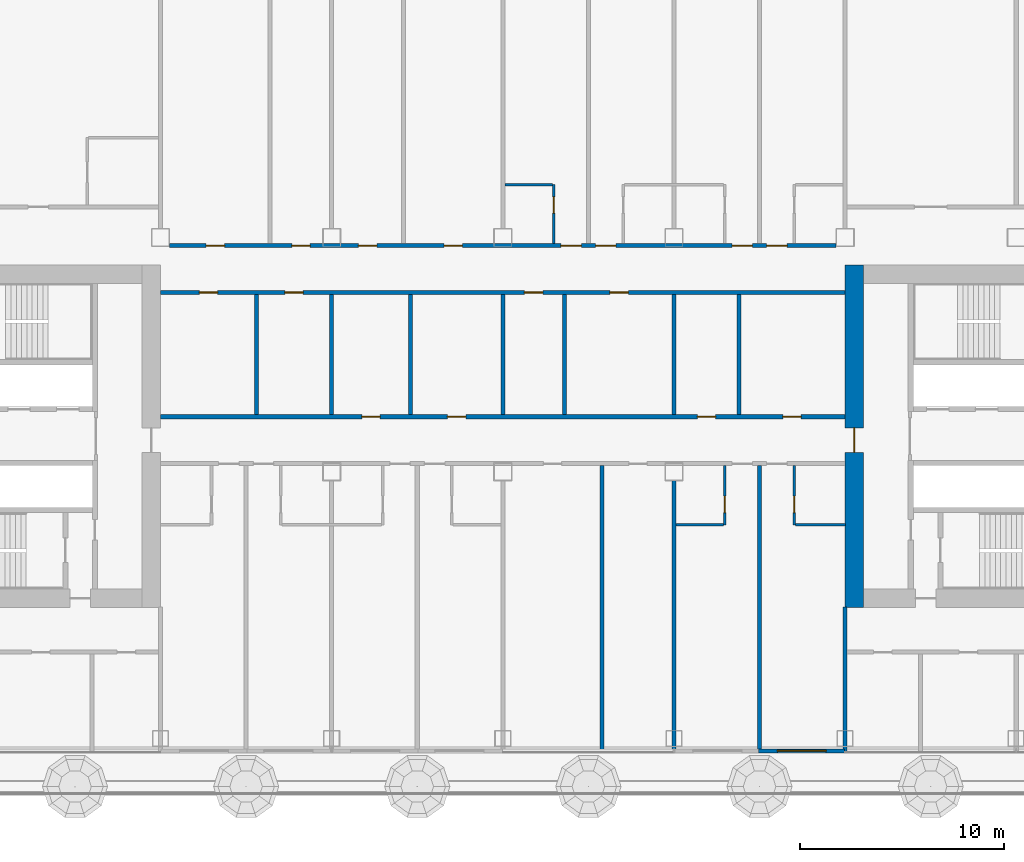
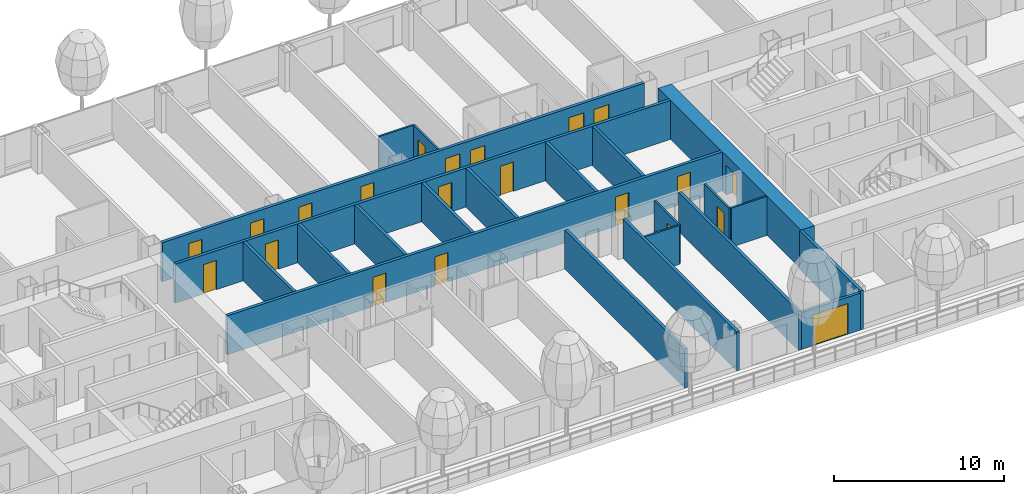
# One storey, part 16 of 34: 22 walls, 21 doors, 21 openings, 1 element without a shape of its own.
"""IFC4 building model written with IfcOpenShell, lengths in metres."""

from ifc_helpers import new_model, si_unit, direction, frame, frame_2d, origin, place, context, subcontext, project, spatial, rectangle, extrude, material, layer, layer_set, type_object, element, fill, aggregate, save


model = new_model("IFC4")

# Units and contexts
model_context = context("Model", 3, precision=1e-05, world=origin(), true_north=direction((0.0, 1.0)))
body_context = subcontext(model_context, "Body", "Model", "MODEL_VIEW")
ifc_project = project(units=[si_unit("LENGTHUNIT", "METRE"), si_unit("AREAUNIT", "SQUARE_METRE"), si_unit("VOLUMEUNIT", "CUBIC_METRE"), si_unit("PLANEANGLEUNIT", "RADIAN"), si_unit("MASSUNIT", "GRAM", prefix="KILO")], contexts=[model_context])

# Site, building, storey
site_placement = place(None, origin())
site = spatial("IfcSite", under=ifc_project, at=site_placement, CompositionType="ELEMENT")
building_placement = place(site_placement, origin())
building = spatial("IfcBuilding", under=site, at=building_placement, Name="Hakoniwa Tower and Hamabe Station Hall", CompositionType="ELEMENT")
storey_placement = place(building_placement, frame((0.0, 0.0, 94.60009765625)))
storey = spatial("IfcBuildingStorey", under=building, at=storey_placement, Name="L26", CompositionType="ELEMENT", Elevation=94.60009765625)

# Walls
ifc_material_1 = material(Name="Gypsum board partition", Category="gypsum")
ifc_layer_1 = layer(ifc_material_1, 0.125)
ifc_layer_set_1 = layer_set([ifc_layer_1], Name="Bathroom Partition 125")
wall_type_1 = type_object("IfcWallType", Name="Bathroom Partition 125", PredefinedType="PARTITIONING", material=ifc_layer_set_1)
wall_1_placement = place(storey_placement, frame((8.5, -4.35009765625, 0.0), z_axis=(0.0, 0.0, 1.0), x_axis=(1.0, 0.0, 0.0)))
element("IfcWall", 1, at=wall_1_placement, inside=storey, type_object=wall_type_1, Name="GW-L26-010", PredefinedType="PARTITIONING", context=body_context, shape_type="SweptSolid", body=[
    extrude(rectangle(XDim=2.33740234375, YDim=0.125, at=frame_2d((1.168701171875, 0.0))), origin(), (0.0, 0.0, 1.0), 2.7998046875),
])
wall_2_placement = place(storey_placement, frame((14.362548828125, -4.35009765625, 0.0), z_axis=(0.0, 0.0, 1.0), x_axis=(1.0, 0.0, 0.0)))
element("IfcWall", 2, at=wall_2_placement, inside=storey, type_object=wall_type_1, Name="GW-L26-011", PredefinedType="PARTITIONING", context=body_context, shape_type="SweptSolid", body=[
    extrude(rectangle(XDim=2.447509765625, YDim=0.125, at=frame_2d((1.2236328125, 0.0))), origin(), (0.0, 0.0, 1.0), 2.7998046875),
])
wall_3_placement = place(storey_placement, frame((0.10009765625, 12.35009765625, 0.0), z_axis=(0.0, 0.0, 1.0), x_axis=(1.0, 0.0, 0.0)))
element("IfcWall", 3, at=wall_3_placement, inside=storey, type_object=wall_type_1, Name="GW-L26-024", PredefinedType="PARTITIONING", context=body_context, shape_type="SweptSolid", body=[
    extrude(rectangle(XDim=2.33740234375, YDim=0.125, at=frame_2d((1.168701171875, 0.0))), origin(), (0.0, 0.0, 1.0), 2.7998046875),
])

# Wall, opening, door
wall_4_placement = place(storey_placement, frame((2.5, 9.449951171875, 0.0), z_axis=(0.0, 0.0, 1.0), x_axis=(0.0, 1.0, 0.0)))
wall_4 = element("IfcWall", 4, at=wall_4_placement, inside=storey, type_object=wall_type_1, Name="GW-L26-068", PredefinedType="PARTITIONING", context=body_context, shape_type="SweptSolid", body=[
    extrude(rectangle(XDim=2.900146484375, YDim=0.125, at=frame_2d((1.4501953125, 0.0))), origin(), (0.0, 0.0, 1.0), 2.7998046875),
])
opening_1_placement = place(wall_4_placement, frame((1.5, 0.0, 0.0)))
opening_1 = element("IfcOpeningElement", 5, at=opening_1_placement, cuts=wall_4, Name="Opening GD-G2B1-65", PredefinedType="OPENING", context=body_context, shape_type="SweptSolid", body=[
    extrude(rectangle(XDim=0.800048828125, YDim=2.10009765625, at=frame_2d((0.39990234375, 1.050048828125))), frame((0.0, 0.072509765625, 0.0), z_axis=(0.0, -1.0, 0.0), x_axis=(1.0, 0.0, 0.0)), (0.0, 0.0, 1.0), 0.14501953125),
])
ifc_material_2 = material(Name="Timber door leaf", Category="wood")
door_type_1 = type_object("IfcDoorType", Name="Bathroom Door 800", OperationType="SINGLE_SWING_LEFT", PredefinedType="DOOR", material=ifc_material_2)
door_1_placement = place(opening_1_placement, origin())
door_1 = element("IfcDoor", 6, at=door_1_placement, inside=storey, type_object=door_type_1, Name="Door GD-G2B1-65", OperationType="SINGLE_SWING_LEFT", OverallHeight=2.10009765625, OverallWidth=0.800048828125, PredefinedType="DOOR", context=body_context, shape_type="SweptSolid", body=[
    extrude(rectangle(XDim=0.800048828125, YDim=2.10009765625, at=frame_2d((0.39990234375, 1.050048828125))), frame((0.0, 0.02490234375, 0.0), z_axis=(0.0, -1.0, 0.0), x_axis=(1.0, 0.0, 0.0)), (0.0, 0.0, 1.0), 0.050048828125),
])
fill(opening_1, door_1)

wall_5_placement = place(storey_placement, frame((10.89990234375, -4.35009765625, 0.0), z_axis=(0.0, 0.0, 1.0), x_axis=(0.0, 1.0, 0.0)))
wall_5 = element("IfcWall", 7, at=wall_5_placement, inside=storey, type_object=wall_type_1, Name="GW-L26-076", PredefinedType="PARTITIONING", context=body_context, shape_type="SweptSolid", body=[
    extrude(rectangle(XDim=2.900146484375, YDim=0.125, at=frame_2d((1.4501953125, 0.0))), origin(), (0.0, 0.0, 1.0), 2.7998046875),
])
opening_2_placement = place(wall_5_placement, frame((0.60009765625, 0.0, 0.0)))
opening_2 = element("IfcOpeningElement", 8, at=opening_2_placement, cuts=wall_5, Name="Opening GD-G2B1-67", PredefinedType="OPENING", context=body_context, shape_type="SweptSolid", body=[
    extrude(rectangle(XDim=0.800048828125, YDim=2.10009765625, at=frame_2d((0.39990234375, 1.050048828125))), frame((0.0, 0.072509765625, 0.0), z_axis=(0.0, -1.0, 0.0), x_axis=(1.0, 0.0, 0.0)), (0.0, 0.0, 1.0), 0.14501953125),
])
door_2_placement = place(opening_2_placement, origin())
door_2 = element("IfcDoor", 9, at=door_2_placement, inside=storey, type_object=door_type_1, Name="Door GD-G2B1-67", OperationType="SINGLE_SWING_RIGHT", OverallHeight=2.10009765625, OverallWidth=0.800048828125, PredefinedType="DOOR", context=body_context, shape_type="SweptSolid", body=[
    extrude(rectangle(XDim=0.800048828125, YDim=2.10009765625, at=frame_2d((0.39990234375, 1.050048828125))), frame((0.0, 0.02490234375, 0.0), z_axis=(0.0, -1.0, 0.0), x_axis=(1.0, 0.0, 0.0)), (0.0, 0.0, 1.0), 0.050048828125),
])
fill(opening_2, door_2)

wall_6_placement = place(storey_placement, frame((14.300048828125, -4.35009765625, 0.0), z_axis=(0.0, 0.0, 1.0), x_axis=(0.0, 1.0, 0.0)))
wall_6 = element("IfcWall", 10, at=wall_6_placement, inside=storey, type_object=wall_type_1, Name="GW-L26-081", PredefinedType="PARTITIONING", context=body_context, shape_type="SweptSolid", body=[
    extrude(rectangle(XDim=2.900146484375, YDim=0.125, at=frame_2d((1.4501953125, 0.0))), origin(), (0.0, 0.0, 1.0), 2.7998046875),
])
opening_3_placement = place(wall_6_placement, frame((0.60009765625, 0.0, 0.0)))
opening_3 = element("IfcOpeningElement", 11, at=opening_3_placement, cuts=wall_6, Name="Opening GD-G2B1-69", PredefinedType="OPENING", context=body_context, shape_type="SweptSolid", body=[
    extrude(rectangle(XDim=0.800048828125, YDim=2.10009765625, at=frame_2d((0.39990234375, 1.050048828125))), frame((0.0, 0.072509765625, 0.0), z_axis=(0.0, -1.0, 0.0), x_axis=(1.0, 0.0, 0.0)), (0.0, 0.0, 1.0), 0.14501953125),
])
door_3_placement = place(opening_3_placement, origin())
door_3 = element("IfcDoor", 12, at=door_3_placement, inside=storey, type_object=door_type_1, Name="Door GD-G2B1-69", OperationType="SINGLE_SWING_LEFT", OverallHeight=2.10009765625, OverallWidth=0.800048828125, PredefinedType="DOOR", context=body_context, shape_type="SweptSolid", body=[
    extrude(rectangle(XDim=0.800048828125, YDim=2.10009765625, at=frame_2d((0.39990234375, 1.050048828125))), frame((0.0, 0.02490234375, 0.0), z_axis=(0.0, -1.0, 0.0), x_axis=(1.0, 0.0, 0.0)), (0.0, 0.0, 1.0), 0.050048828125),
])
fill(opening_3, door_3)

ifc_material_3 = material(Name="Concrete C72", Category="concrete")
ifc_layer_2 = layer(ifc_material_3, 0.89990234375)
ifc_layer_set_2 = layer_set([ifc_layer_2], Name="CORE WALL 900 C72")
wall_type_2 = type_object("IfcWallType", Name="CORE WALL 900 C72", PredefinedType="SHEAR", material=ifc_layer_set_2)
wall_7_placement = place(storey_placement, frame((17.25, -8.39990234375, 0.0), z_axis=(0.0, 0.0, 1.0), x_axis=(0.0, 1.0, 0.0)))
wall_7 = element("IfcWall", 13, at=wall_7_placement, inside=storey, type_object=wall_type_2, Name="Core wall INNER east", PredefinedType="SHEAR", context=body_context, shape_type="SweptSolid", body=[
    extrude(rectangle(XDim=16.7998046875, YDim=0.89990234375, at=frame_2d((8.39990234375, 0.0))), origin(), (0.0, 0.0, 1.0), 2.7998046875),
])
opening_4_placement = place(wall_7_placement, frame((7.60009765625, 0.0, 0.0)))
opening_4 = element("IfcOpeningElement", 14, at=opening_4_placement, cuts=wall_7, Name="Opening CD-E-IN1-12", PredefinedType="OPENING", context=body_context, shape_type="SweptSolid", body=[
    extrude(rectangle(XDim=1.199951171875, YDim=2.10009765625, at=frame_2d((0.60009765625, 1.050048828125))), frame((0.0, 0.4599609375, 0.0), z_axis=(0.0, -1.0, 0.0), x_axis=(1.0, 0.0, 0.0)), (0.0, 0.0, 1.0), 0.919921875),
])
ifc_material_4 = material(Name="Steel fire door", Category="steel")
door_type_2 = type_object("IfcDoorType", Name="CORE DOOR 1200 FD60", OperationType="DOUBLE_DOOR_SINGLE_SWING", PredefinedType="DOOR", material=ifc_material_4)
door_4_placement = place(opening_4_placement, origin())
door_4 = element("IfcDoor", 15, at=door_4_placement, inside=storey, type_object=door_type_2, Name="Lift lobby door", OperationType="DOUBLE_DOOR_SINGLE_SWING", OverallHeight=2.10009765625, OverallWidth=1.199951171875, PredefinedType="DOOR", context=body_context, shape_type="SweptSolid", body=[
    extrude(rectangle(XDim=1.199951171875, YDim=2.10009765625, at=frame_2d((0.60009765625, 1.050048828125))), frame((0.0, 0.02490234375, 0.0), z_axis=(0.0, -1.0, 0.0), x_axis=(1.0, 0.0, 0.0)), (0.0, 0.0, 1.0), 0.050048828125),
])
fill(opening_4, door_4)

# Wall, openings, doors
ifc_material_5 = material(Name="Fire-rated gypsum board partition", Category="gypsum")
ifc_layer_3 = layer(ifc_material_5, 0.199951171875)
ifc_layer_set_3 = layer_set([ifc_layer_3], Name="Corridor Wall 200")
wall_type_3 = type_object("IfcWallType", Name="Corridor Wall 200", PredefinedType="PARTITIONING", material=ifc_layer_set_3)
wall_8_placement = place(storey_placement, frame((-16.800048828125, 0.949951171875, 0.0), z_axis=(0.0, 0.0, 1.0), x_axis=(1.0, 0.0, 0.0)))
wall_8 = element("IfcWall", 16, at=wall_8_placement, inside=storey, type_object=wall_type_3, Name="GW-L26-015", PredefinedType="PARTITIONING", context=body_context, shape_type="SweptSolid", body=[
    extrude(rectangle(XDim=33.60009765625, YDim=0.199951171875, at=frame_2d((16.800048828125, 0.0))), origin(), (0.0, 0.0, 1.0), 2.7998046875),
])
opening_5_placement = place(wall_8_placement, frame((9.8798828125, 0.0, 0.0)))
opening_5 = element("IfcOpeningElement", 17, at=opening_5_placement, cuts=wall_8, Name="Opening GD-G2B1-25", PredefinedType="OPENING", context=body_context, shape_type="SweptSolid", body=[
    extrude(rectangle(XDim=0.89990234375, YDim=2.10009765625, at=frame_2d((0.449951171875, 1.050048828125))), frame((0.0, 0.10986328125, 0.0), z_axis=(0.0, -1.0, 0.0), x_axis=(1.0, 0.0, 0.0)), (0.0, 0.0, 1.0), 0.219970703125),
])
opening_6_placement = place(wall_8_placement, frame((14.080078125, 0.0, 0.0)))
opening_6 = element("IfcOpeningElement", 18, at=opening_6_placement, cuts=wall_8, Name="Opening GD-G2B1-26", PredefinedType="OPENING", context=body_context, shape_type="SweptSolid", body=[
    extrude(rectangle(XDim=0.89990234375, YDim=2.10009765625, at=frame_2d((0.449951171875, 1.050048828125))), frame((0.0, 0.10986328125, 0.0), z_axis=(0.0, -1.0, 0.0), x_axis=(1.0, 0.0, 0.0)), (0.0, 0.0, 1.0), 0.219970703125),
])
opening_7_placement = place(wall_8_placement, frame((26.344970703125, 0.0, 0.0)))
opening_7 = element("IfcOpeningElement", 19, at=opening_7_placement, cuts=wall_8, Name="Opening GD-G2B1-27", PredefinedType="OPENING", context=body_context, shape_type="SweptSolid", body=[
    extrude(rectangle(XDim=0.89990234375, YDim=2.10009765625, at=frame_2d((0.449951171875, 1.050048828125))), frame((0.0, 0.10986328125, 0.0), z_axis=(0.0, -1.0, 0.0), x_axis=(1.0, 0.0, 0.0)), (0.0, 0.0, 1.0), 0.219970703125),
])
opening_8_placement = place(wall_8_placement, frame((30.544921875, 0.0, 0.0)))
opening_8 = element("IfcOpeningElement", 20, at=opening_8_placement, cuts=wall_8, Name="Opening GD-G2B1-28", PredefinedType="OPENING", context=body_context, shape_type="SweptSolid", body=[
    extrude(rectangle(XDim=0.89990234375, YDim=2.10009765625, at=frame_2d((0.449951171875, 1.050048828125))), frame((0.0, 0.10986328125, 0.0), z_axis=(0.0, -1.0, 0.0), x_axis=(1.0, 0.0, 0.0)), (0.0, 0.0, 1.0), 0.219970703125),
])
ifc_material_6 = material(Name="Timber door leaf", Category="wood")
door_type_3 = type_object("IfcDoorType", Name="Service Door 900", OperationType="SINGLE_SWING_LEFT", PredefinedType="DOOR", material=ifc_material_6)
door_5_placement = place(opening_5_placement, origin())
door_5 = element("IfcDoor", 21, at=door_5_placement, inside=storey, type_object=door_type_3, Name="Door GD-G2B1-25", OperationType="SINGLE_SWING_LEFT", OverallHeight=2.10009765625, OverallWidth=0.89990234375, PredefinedType="DOOR", context=body_context, shape_type="SweptSolid", body=[
    extrude(rectangle(XDim=0.89990234375, YDim=2.10009765625, at=frame_2d((0.449951171875, 1.050048828125))), frame((0.0, 0.02490234375, 0.0), z_axis=(0.0, -1.0, 0.0), x_axis=(1.0, 0.0, 0.0)), (0.0, 0.0, 1.0), 0.050048828125),
])
fill(opening_5, door_5)
door_6_placement = place(opening_6_placement, origin())
door_6 = element("IfcDoor", 22, at=door_6_placement, inside=storey, type_object=door_type_3, Name="Door GD-G2B1-26", OperationType="SINGLE_SWING_RIGHT", OverallHeight=2.10009765625, OverallWidth=0.89990234375, PredefinedType="DOOR", context=body_context, shape_type="SweptSolid", body=[
    extrude(rectangle(XDim=0.89990234375, YDim=2.10009765625, at=frame_2d((0.449951171875, 1.050048828125))), frame((0.0, 0.02490234375, 0.0), z_axis=(0.0, -1.0, 0.0), x_axis=(1.0, 0.0, 0.0)), (0.0, 0.0, 1.0), 0.050048828125),
])
fill(opening_6, door_6)
door_7_placement = place(opening_7_placement, origin())
door_7 = element("IfcDoor", 23, at=door_7_placement, inside=storey, type_object=door_type_3, Name="Door GD-G2B1-27", OperationType="SINGLE_SWING_LEFT", OverallHeight=2.10009765625, OverallWidth=0.89990234375, PredefinedType="DOOR", context=body_context, shape_type="SweptSolid", body=[
    extrude(rectangle(XDim=0.89990234375, YDim=2.10009765625, at=frame_2d((0.449951171875, 1.050048828125))), frame((0.0, 0.02490234375, 0.0), z_axis=(0.0, -1.0, 0.0), x_axis=(1.0, 0.0, 0.0)), (0.0, 0.0, 1.0), 0.050048828125),
])
fill(opening_7, door_7)
door_8_placement = place(opening_8_placement, origin())
door_8 = element("IfcDoor", 24, at=door_8_placement, inside=storey, type_object=door_type_3, Name="Door GD-G2B1-28", OperationType="SINGLE_SWING_RIGHT", OverallHeight=2.10009765625, OverallWidth=0.89990234375, PredefinedType="DOOR", context=body_context, shape_type="SweptSolid", body=[
    extrude(rectangle(XDim=0.89990234375, YDim=2.10009765625, at=frame_2d((0.449951171875, 1.050048828125))), frame((0.0, 0.02490234375, 0.0), z_axis=(0.0, -1.0, 0.0), x_axis=(1.0, 0.0, 0.0)), (0.0, 0.0, 1.0), 0.050048828125),
])
fill(opening_8, door_8)

wall_9_placement = place(storey_placement, frame((-16.800048828125, 7.050048828125, 0.0), z_axis=(0.0, 0.0, 1.0), x_axis=(1.0, 0.0, 0.0)))
wall_9 = element("IfcWall", 25, at=wall_9_placement, inside=storey, type_object=wall_type_3, Name="GW-L26-018", PredefinedType="PARTITIONING", context=body_context, shape_type="SweptSolid", body=[
    extrude(rectangle(XDim=33.60009765625, YDim=0.199951171875, at=frame_2d((16.800048828125, 0.0))), origin(), (0.0, 0.0, 1.0), 2.7998046875),
])
opening_9_placement = place(wall_9_placement, frame((1.89990234375, 0.0, 0.0)))
opening_9 = element("IfcOpeningElement", 26, at=opening_9_placement, cuts=wall_9, Name="Opening GD-G2B1-31", PredefinedType="OPENING", context=body_context, shape_type="SweptSolid", body=[
    extrude(rectangle(XDim=0.89990234375, YDim=2.10009765625, at=frame_2d((0.449951171875, 1.050048828125))), frame((0.0, 0.10986328125, 0.0), z_axis=(0.0, -1.0, 0.0), x_axis=(1.0, 0.0, 0.0)), (0.0, 0.0, 1.0), 0.219970703125),
])
opening_10_placement = place(wall_9_placement, frame((6.10009765625, 0.0, 0.0)))
opening_10 = element("IfcOpeningElement", 27, at=opening_10_placement, cuts=wall_9, Name="Opening GD-G2B1-32", PredefinedType="OPENING", context=body_context, shape_type="SweptSolid", body=[
    extrude(rectangle(XDim=0.89990234375, YDim=2.10009765625, at=frame_2d((0.449951171875, 1.050048828125))), frame((0.0, 0.10986328125, 0.0), z_axis=(0.0, -1.0, 0.0), x_axis=(1.0, 0.0, 0.0)), (0.0, 0.0, 1.0), 0.219970703125),
])
opening_11_placement = place(wall_9_placement, frame((17.860107421875, 0.0, 0.0)))
opening_11 = element("IfcOpeningElement", 28, at=opening_11_placement, cuts=wall_9, Name="Opening GD-G2B1-33", PredefinedType="OPENING", context=body_context, shape_type="SweptSolid", body=[
    extrude(rectangle(XDim=0.89990234375, YDim=2.10009765625, at=frame_2d((0.449951171875, 1.050048828125))), frame((0.0, 0.10986328125, 0.0), z_axis=(0.0, -1.0, 0.0), x_axis=(1.0, 0.0, 0.0)), (0.0, 0.0, 1.0), 0.219970703125),
])
opening_12_placement = place(wall_9_placement, frame((22.06005859375, 0.0, 0.0)))
opening_12 = element("IfcOpeningElement", 29, at=opening_12_placement, cuts=wall_9, Name="Opening GD-G2B1-34", PredefinedType="OPENING", context=body_context, shape_type="SweptSolid", body=[
    extrude(rectangle(XDim=0.89990234375, YDim=2.10009765625, at=frame_2d((0.449951171875, 1.050048828125))), frame((0.0, 0.10986328125, 0.0), z_axis=(0.0, -1.0, 0.0), x_axis=(1.0, 0.0, 0.0)), (0.0, 0.0, 1.0), 0.219970703125),
])
door_9_placement = place(opening_9_placement, origin())
door_9 = element("IfcDoor", 30, at=door_9_placement, inside=storey, type_object=door_type_3, Name="Door GD-G2B1-31", OperationType="SINGLE_SWING_LEFT", OverallHeight=2.10009765625, OverallWidth=0.89990234375, PredefinedType="DOOR", context=body_context, shape_type="SweptSolid", body=[
    extrude(rectangle(XDim=0.89990234375, YDim=2.10009765625, at=frame_2d((0.449951171875, 1.050048828125))), frame((0.0, 0.02490234375, 0.0), z_axis=(0.0, -1.0, 0.0), x_axis=(1.0, 0.0, 0.0)), (0.0, 0.0, 1.0), 0.050048828125),
])
fill(opening_9, door_9)
door_10_placement = place(opening_10_placement, origin())
door_10 = element("IfcDoor", 31, at=door_10_placement, inside=storey, type_object=door_type_3, Name="Door GD-G2B1-32", OperationType="SINGLE_SWING_RIGHT", OverallHeight=2.10009765625, OverallWidth=0.89990234375, PredefinedType="DOOR", context=body_context, shape_type="SweptSolid", body=[
    extrude(rectangle(XDim=0.89990234375, YDim=2.10009765625, at=frame_2d((0.449951171875, 1.050048828125))), frame((0.0, 0.02490234375, 0.0), z_axis=(0.0, -1.0, 0.0), x_axis=(1.0, 0.0, 0.0)), (0.0, 0.0, 1.0), 0.050048828125),
])
fill(opening_10, door_10)
door_11_placement = place(opening_11_placement, origin())
door_11 = element("IfcDoor", 32, at=door_11_placement, inside=storey, type_object=door_type_3, Name="Door GD-G2B1-33", OperationType="SINGLE_SWING_LEFT", OverallHeight=2.10009765625, OverallWidth=0.89990234375, PredefinedType="DOOR", context=body_context, shape_type="SweptSolid", body=[
    extrude(rectangle(XDim=0.89990234375, YDim=2.10009765625, at=frame_2d((0.449951171875, 1.050048828125))), frame((0.0, 0.02490234375, 0.0), z_axis=(0.0, -1.0, 0.0), x_axis=(1.0, 0.0, 0.0)), (0.0, 0.0, 1.0), 0.050048828125),
])
fill(opening_11, door_11)
door_12_placement = place(opening_12_placement, origin())
door_12 = element("IfcDoor", 33, at=door_12_placement, inside=storey, type_object=door_type_3, Name="Door GD-G2B1-34", OperationType="SINGLE_SWING_RIGHT", OverallHeight=2.10009765625, OverallWidth=0.89990234375, PredefinedType="DOOR", context=body_context, shape_type="SweptSolid", body=[
    extrude(rectangle(XDim=0.89990234375, YDim=2.10009765625, at=frame_2d((0.449951171875, 1.050048828125))), frame((0.0, 0.02490234375, 0.0), z_axis=(0.0, -1.0, 0.0), x_axis=(1.0, 0.0, 0.0)), (0.0, 0.0, 1.0), 0.050048828125),
])
fill(opening_12, door_12)

wall_10_placement = place(storey_placement, frame((-16.360107421875, 9.35009765625, 0.0), z_axis=(0.0, 0.0, 1.0), x_axis=(1.0, 0.0, 0.0)))
wall_10 = element("IfcWall", 34, at=wall_10_placement, inside=storey, type_object=wall_type_3, Name="GW-L26-021", PredefinedType="PARTITIONING", context=body_context, shape_type="SweptSolid", body=[
    extrude(rectangle(XDim=32.72021484375, YDim=0.199951171875, at=frame_2d((16.360107421875, 0.0))), origin(), (0.0, 0.0, 1.0), 2.7998046875),
])
opening_13_placement = place(wall_10_placement, frame((1.800048828125, 0.0, 0.0)))
opening_13 = element("IfcOpeningElement", 35, at=opening_13_placement, cuts=wall_10, Name="Opening GD-G2B1-37", PredefinedType="OPENING", context=body_context, shape_type="SweptSolid", body=[
    extrude(rectangle(XDim=0.89990234375, YDim=2.10009765625, at=frame_2d((0.449951171875, 1.050048828125))), frame((0.0, 0.10986328125, 0.0), z_axis=(0.0, -1.0, 0.0), x_axis=(1.0, 0.0, 0.0)), (0.0, 0.0, 1.0), 0.219970703125),
])
opening_14_placement = place(wall_10_placement, frame((6.0, 0.0, 0.0)))
opening_14 = element("IfcOpeningElement", 36, at=opening_14_placement, cuts=wall_10, Name="Opening GD-G2B1-38", PredefinedType="OPENING", context=body_context, shape_type="SweptSolid", body=[
    extrude(rectangle(XDim=0.89990234375, YDim=2.10009765625, at=frame_2d((0.449951171875, 1.050048828125))), frame((0.0, 0.10986328125, 0.0), z_axis=(0.0, -1.0, 0.0), x_axis=(1.0, 0.0, 0.0)), (0.0, 0.0, 1.0), 0.219970703125),
])
opening_15_placement = place(wall_10_placement, frame((9.27490234375, 0.0, 0.0)))
opening_15 = element("IfcOpeningElement", 37, at=opening_15_placement, cuts=wall_10, Name="Opening GD-G2B1-39", PredefinedType="OPENING", context=body_context, shape_type="SweptSolid", body=[
    extrude(rectangle(XDim=0.89990234375, YDim=2.10009765625, at=frame_2d((0.449951171875, 1.050048828125))), frame((0.0, 0.10986328125, 0.0), z_axis=(0.0, -1.0, 0.0), x_axis=(1.0, 0.0, 0.0)), (0.0, 0.0, 1.0), 0.219970703125),
])
opening_16_placement = place(wall_10_placement, frame((13.47509765625, 0.0, 0.0)))
opening_16 = element("IfcOpeningElement", 38, at=opening_16_placement, cuts=wall_10, Name="Opening GD-G2B1-40", PredefinedType="OPENING", context=body_context, shape_type="SweptSolid", body=[
    extrude(rectangle(XDim=0.89990234375, YDim=2.10009765625, at=frame_2d((0.449951171875, 1.050048828125))), frame((0.0, 0.10986328125, 0.0), z_axis=(0.0, -1.0, 0.0), x_axis=(1.0, 0.0, 0.0)), (0.0, 0.0, 1.0), 0.219970703125),
])
opening_17_placement = place(wall_10_placement, frame((19.2099609375, 0.0, 0.0)))
opening_17 = element("IfcOpeningElement", 39, at=opening_17_placement, cuts=wall_10, Name="Opening GD-G2B1-41", PredefinedType="OPENING", context=body_context, shape_type="SweptSolid", body=[
    extrude(rectangle(XDim=1.0, YDim=2.10009765625, at=frame_2d((0.5, 1.050048828125))), frame((0.0, 0.10986328125, 0.0), z_axis=(0.0, -1.0, 0.0), x_axis=(1.0, 0.0, 0.0)), (0.0, 0.0, 1.0), 0.219970703125),
])
opening_18_placement = place(wall_10_placement, frame((20.909912109375, 0.0, 0.0)))
opening_18 = element("IfcOpeningElement", 40, at=opening_18_placement, cuts=wall_10, Name="Opening GD-G2B1-42", PredefinedType="OPENING", context=body_context, shape_type="SweptSolid", body=[
    extrude(rectangle(XDim=1.0, YDim=2.10009765625, at=frame_2d((0.5, 1.050048828125))), frame((0.0, 0.10986328125, 0.0), z_axis=(0.0, -1.0, 0.0), x_axis=(1.0, 0.0, 0.0)), (0.0, 0.0, 1.0), 0.219970703125),
])
opening_19_placement = place(wall_10_placement, frame((27.610107421875, 0.0, 0.0)))
opening_19 = element("IfcOpeningElement", 41, at=opening_19_placement, cuts=wall_10, Name="Opening GD-G2B1-43", PredefinedType="OPENING", context=body_context, shape_type="SweptSolid", body=[
    extrude(rectangle(XDim=1.0, YDim=2.10009765625, at=frame_2d((0.5, 1.050048828125))), frame((0.0, 0.10986328125, 0.0), z_axis=(0.0, -1.0, 0.0), x_axis=(1.0, 0.0, 0.0)), (0.0, 0.0, 1.0), 0.219970703125),
])
opening_20_placement = place(wall_10_placement, frame((29.31005859375, 0.0, 0.0)))
opening_20 = element("IfcOpeningElement", 42, at=opening_20_placement, cuts=wall_10, Name="Opening GD-G2B1-44", PredefinedType="OPENING", context=body_context, shape_type="SweptSolid", body=[
    extrude(rectangle(XDim=1.0, YDim=2.10009765625, at=frame_2d((0.5, 1.050048828125))), frame((0.0, 0.10986328125, 0.0), z_axis=(0.0, -1.0, 0.0), x_axis=(1.0, 0.0, 0.0)), (0.0, 0.0, 1.0), 0.219970703125),
])
ifc_material_7 = material(Name="Timber door leaf", Category="wood")
door_type_4 = type_object("IfcDoorType", Name="Guest Entrance Door 1000", OperationType="SINGLE_SWING_LEFT", PredefinedType="DOOR", material=ifc_material_7)
door_13_placement = place(opening_17_placement, origin())
door_13 = element("IfcDoor", 43, at=door_13_placement, inside=storey, type_object=door_type_4, Name="Door GD-G2B1-41", OperationType="SINGLE_SWING_LEFT", OverallHeight=2.10009765625, OverallWidth=1.0, PredefinedType="DOOR", context=body_context, shape_type="SweptSolid", body=[
    extrude(rectangle(XDim=1.0, YDim=2.10009765625, at=frame_2d((0.5, 1.050048828125))), frame((0.0, 0.02490234375, 0.0), z_axis=(0.0, -1.0, 0.0), x_axis=(1.0, 0.0, 0.0)), (0.0, 0.0, 1.0), 0.050048828125),
])
fill(opening_17, door_13)
door_14_placement = place(opening_18_placement, origin())
door_14 = element("IfcDoor", 44, at=door_14_placement, inside=storey, type_object=door_type_4, Name="Door GD-G2B1-42", OperationType="SINGLE_SWING_RIGHT", OverallHeight=2.10009765625, OverallWidth=1.0, PredefinedType="DOOR", context=body_context, shape_type="SweptSolid", body=[
    extrude(rectangle(XDim=1.0, YDim=2.10009765625, at=frame_2d((0.5, 1.050048828125))), frame((0.0, 0.02490234375, 0.0), z_axis=(0.0, -1.0, 0.0), x_axis=(1.0, 0.0, 0.0)), (0.0, 0.0, 1.0), 0.050048828125),
])
fill(opening_18, door_14)
door_15_placement = place(opening_19_placement, origin())
door_15 = element("IfcDoor", 45, at=door_15_placement, inside=storey, type_object=door_type_4, Name="Door GD-G2B1-43", OperationType="SINGLE_SWING_LEFT", OverallHeight=2.10009765625, OverallWidth=1.0, PredefinedType="DOOR", context=body_context, shape_type="SweptSolid", body=[
    extrude(rectangle(XDim=1.0, YDim=2.10009765625, at=frame_2d((0.5, 1.050048828125))), frame((0.0, 0.02490234375, 0.0), z_axis=(0.0, -1.0, 0.0), x_axis=(1.0, 0.0, 0.0)), (0.0, 0.0, 1.0), 0.050048828125),
])
fill(opening_19, door_15)
door_16_placement = place(opening_20_placement, origin())
door_16 = element("IfcDoor", 46, at=door_16_placement, inside=storey, type_object=door_type_4, Name="Door GD-G2B1-44", OperationType="SINGLE_SWING_RIGHT", OverallHeight=2.10009765625, OverallWidth=1.0, PredefinedType="DOOR", context=body_context, shape_type="SweptSolid", body=[
    extrude(rectangle(XDim=1.0, YDim=2.10009765625, at=frame_2d((0.5, 1.050048828125))), frame((0.0, 0.02490234375, 0.0), z_axis=(0.0, -1.0, 0.0), x_axis=(1.0, 0.0, 0.0)), (0.0, 0.0, 1.0), 0.050048828125),
])
fill(opening_20, door_16)
door_17_placement = place(opening_13_placement, origin())
door_17 = element("IfcDoor", 47, at=door_17_placement, inside=storey, type_object=door_type_3, Name="Door GD-G2B1-37", OperationType="SINGLE_SWING_RIGHT", OverallHeight=2.10009765625, OverallWidth=0.89990234375, PredefinedType="DOOR", context=body_context, shape_type="SweptSolid", body=[
    extrude(rectangle(XDim=0.89990234375, YDim=2.10009765625, at=frame_2d((0.449951171875, 1.050048828125))), frame((0.0, 0.02490234375, 0.0), z_axis=(0.0, -1.0, 0.0), x_axis=(1.0, 0.0, 0.0)), (0.0, 0.0, 1.0), 0.050048828125),
])
fill(opening_13, door_17)
door_18_placement = place(opening_14_placement, origin())
door_18 = element("IfcDoor", 48, at=door_18_placement, inside=storey, type_object=door_type_3, Name="Door GD-G2B1-38", OperationType="SINGLE_SWING_RIGHT", OverallHeight=2.10009765625, OverallWidth=0.89990234375, PredefinedType="DOOR", context=body_context, shape_type="SweptSolid", body=[
    extrude(rectangle(XDim=0.89990234375, YDim=2.10009765625, at=frame_2d((0.449951171875, 1.050048828125))), frame((0.0, 0.02490234375, 0.0), z_axis=(0.0, -1.0, 0.0), x_axis=(1.0, 0.0, 0.0)), (0.0, 0.0, 1.0), 0.050048828125),
])
fill(opening_14, door_18)
door_19_placement = place(opening_15_placement, origin())
door_19 = element("IfcDoor", 49, at=door_19_placement, inside=storey, type_object=door_type_3, Name="Door GD-G2B1-39", OperationType="SINGLE_SWING_LEFT", OverallHeight=2.10009765625, OverallWidth=0.89990234375, PredefinedType="DOOR", context=body_context, shape_type="SweptSolid", body=[
    extrude(rectangle(XDim=0.89990234375, YDim=2.10009765625, at=frame_2d((0.449951171875, 1.050048828125))), frame((0.0, 0.02490234375, 0.0), z_axis=(0.0, -1.0, 0.0), x_axis=(1.0, 0.0, 0.0)), (0.0, 0.0, 1.0), 0.050048828125),
])
fill(opening_15, door_19)
door_20_placement = place(opening_16_placement, origin())
door_20 = element("IfcDoor", 50, at=door_20_placement, inside=storey, type_object=door_type_3, Name="Door GD-G2B1-40", OperationType="SINGLE_SWING_RIGHT", OverallHeight=2.10009765625, OverallWidth=0.89990234375, PredefinedType="DOOR", context=body_context, shape_type="SweptSolid", body=[
    extrude(rectangle(XDim=0.89990234375, YDim=2.10009765625, at=frame_2d((0.449951171875, 1.050048828125))), frame((0.0, 0.02490234375, 0.0), z_axis=(0.0, -1.0, 0.0), x_axis=(1.0, 0.0, 0.0)), (0.0, 0.0, 1.0), 0.050048828125),
])
fill(opening_16, door_20)

# Curtain wall, wall, opening, door
ifc_material_8 = material(Name="Dark low-e laminated glass", Category="glass")
ifc_layer_4 = layer(ifc_material_8, 0.199951171875)
ifc_layer_set_4 = layer_set([ifc_layer_4], Name="CW-1 UNITISED GUEST")
curtain_wall_type = type_object("IfcCurtainWallType", Name="CW-1 UNITISED GUEST", PredefinedType="NOTDEFINED", material=ifc_layer_set_4)
curtain_wall_placement = place(storey_placement, origin())
curtain_wall = element("IfcCurtainWall", 51, at=curtain_wall_placement, inside=storey, type_object=curtain_wall_type, Name="CW-1 curtain wall", PredefinedType="NOTDEFINED")
ifc_material_9 = material(Name="Dark glass-faced aluminium panel", Category="aluminium")
ifc_layer_5 = layer(ifc_material_9, 0.199951171875)
ifc_layer_set_5 = layer_set([ifc_layer_5], Name="DOOR BAY WALL")
wall_type_4 = type_object("IfcWallType", Name="DOOR BAY WALL", PredefinedType="NOTDEFINED", material=ifc_layer_set_5)
wall_11_placement = place(storey_placement, frame((12.56005859375, -15.449951171875, 0.0), z_axis=(0.0, 0.0, 1.0), x_axis=(1.0, 0.0, 0.0)))
wall_11 = element("IfcWall", 52, at=wall_11_placement, type_object=wall_type_4, Name="Door bay wall", PredefinedType="NOTDEFINED", context=body_context, shape_type="SweptSolid", body=[
    extrude(rectangle(XDim=4.219970703125, YDim=0.199951171875, at=frame_2d((2.10986328125, 0.0))), origin(), (0.0, 0.0, 1.0), 2.64990234375),
])
opening_21_placement = place(wall_11_placement, frame((0.909912109375, 0.0, 0.0)))
opening_21 = element("IfcOpeningElement", 53, at=opening_21_placement, cuts=wall_11, Name="Opening BD-S07-10", PredefinedType="OPENING", context=body_context, shape_type="SweptSolid", body=[
    extrude(rectangle(XDim=2.39990234375, YDim=2.199951171875, at=frame_2d((1.199951171875, 1.10009765625))), frame((0.0, 0.10986328125, 0.0), z_axis=(0.0, -1.0, 0.0), x_axis=(1.0, 0.0, 0.0)), (0.0, 0.0, 1.0), 0.219970703125),
])
ifc_material_10 = material(Name="Dark low-e laminated glass", Category="glass")
door_type_5 = type_object("IfcDoorType", Name="BALCONY SLIDING DOOR 2400X2200", OperationType="SLIDING_TO_LEFT", PredefinedType="DOOR", material=ifc_material_10)
door_21_placement = place(opening_21_placement, frame((2.39990234375, 0.0, 0.0), z_axis=(0.0, 0.0, 1.0), x_axis=(-1.0, 0.0, 0.0)))
door_21 = element("IfcDoor", 54, at=door_21_placement, inside=storey, type_object=door_type_5, Name="Balcony sliding door", OperationType="SLIDING_TO_LEFT", OverallHeight=2.199951171875, OverallWidth=2.39990234375, PredefinedType="DOOR", context=body_context, shape_type="SweptSolid", body=[
    extrude(rectangle(XDim=2.39990234375, YDim=2.199951171875, at=frame_2d((1.199951171875, 1.10009765625))), frame((0.0, 0.02490234375, 0.0), z_axis=(0.0, -1.0, 0.0), x_axis=(1.0, 0.0, 0.0)), (0.0, 0.0, 1.0), 0.050048828125),
])
fill(opening_21, door_21)
aggregate(curtain_wall, [wall_11])

# Walls
ifc_material_11 = material(Name="Fire-rated gypsum board partition", Category="gypsum")
ifc_layer_6 = layer(ifc_material_11, 0.199951171875)
ifc_layer_set_6 = layer_set([ifc_layer_6], Name="Party Wall 200")
wall_type_5 = type_object("IfcWallType", Name="Party Wall 200", PredefinedType="PARTITIONING", material=ifc_layer_set_6)
for number, where, z_axis, x_axis, name in (
    (55, (-12.10009765625, 1.050048828125, 0.0), (0.0, 0.0, 1.0), (0.0, 1.0, 0.0), "GW-L26-054"),
    (56, (-8.39990234375, 1.050048828125, 0.0), (0.0, 0.0, 1.0), (0.0, 1.0, 0.0), "GW-L26-058"),
    (57, (-4.5400390625, 1.050048828125, 0.0), (0.0, 0.0, 1.0), (0.0, 1.0, 0.0), "GW-L26-062"),
    (58, (0.0, 1.050048828125, 0.0), (0.0, 0.0, 1.0), (0.0, 1.0, 0.0), "GW-L26-066"),
    (59, (3.02001953125, 1.050048828125, 0.0), (0.0, 0.0, 1.0), (0.0, 1.0, 0.0), "GW-L26-069"),
):
    element("IfcWall", number, at=place(storey_placement, frame(where, z_axis=z_axis, x_axis=x_axis)), inside=storey, type_object=wall_type_5, Name=name, PredefinedType="PARTITIONING", context=body_context, shape_type="SweptSolid", body=[
        extrude(rectangle(XDim=5.89990234375, YDim=0.199951171875, at=frame_2d((2.949951171875, 0.0))), origin(), (0.0, 0.0, 1.0), 2.7998046875),
    ])
wall_12_placement = place(storey_placement, frame((4.8701171875, -15.550048828125, 0.0), z_axis=(0.0, 0.0, 1.0), x_axis=(0.0, 1.0, 0.0)))
element("IfcWall", 60, at=wall_12_placement, inside=storey, type_object=wall_type_5, Name="GW-L26-071", PredefinedType="PARTITIONING", context=body_context, shape_type="SweptSolid", body=[
    extrude(rectangle(XDim=14.10009765625, YDim=0.199951171875, at=frame_2d((7.050048828125, 0.0))), origin(), (0.0, 0.0, 1.0), 2.7998046875),
])
wall_13_placement = place(storey_placement, frame((8.39990234375, -15.550048828125, 0.0), z_axis=(0.0, 0.0, 1.0), x_axis=(0.0, 1.0, 0.0)))
element("IfcWall", 61, at=wall_13_placement, inside=storey, type_object=wall_type_5, Name="GW-L26-073", PredefinedType="PARTITIONING", context=body_context, shape_type="SweptSolid", body=[
    extrude(rectangle(XDim=13.360107421875, YDim=0.199951171875, at=frame_2d((6.68017578125, 0.0))), origin(), (0.0, 0.0, 1.0), 2.7998046875),
])
for number, where, z_axis, x_axis, name in (
    (62, (8.39990234375, 1.050048828125, 0.0), (0.0, 0.0, 1.0), (0.0, 1.0, 0.0), "GW-L26-074"),
    (63, (11.590087890625, 1.050048828125, 0.0), (0.0, 0.0, 1.0), (0.0, 1.0, 0.0), "GW-L26-078"),
):
    element("IfcWall", number, at=place(storey_placement, frame(where, z_axis=z_axis, x_axis=x_axis)), inside=storey, type_object=wall_type_5, Name=name, PredefinedType="PARTITIONING", context=body_context, shape_type="SweptSolid", body=[
        extrude(rectangle(XDim=5.89990234375, YDim=0.199951171875, at=frame_2d((2.949951171875, 0.0))), origin(), (0.0, 0.0, 1.0), 2.7998046875),
    ])
wall_14_placement = place(storey_placement, frame((12.60009765625, -15.550048828125, 0.0), z_axis=(0.0, 0.0, 1.0), x_axis=(0.0, 1.0, 0.0)))
element("IfcWall", 64, at=wall_14_placement, inside=storey, type_object=wall_type_5, Name="GW-L26-079", PredefinedType="PARTITIONING", context=body_context, shape_type="SweptSolid", body=[
    extrude(rectangle(XDim=14.10009765625, YDim=0.199951171875, at=frame_2d((7.050048828125, 0.0))), origin(), (0.0, 0.0, 1.0), 2.7998046875),
])
wall_15_placement = place(storey_placement, frame((16.800048828125, -15.550048828125, 0.0), z_axis=(0.0, 0.0, 1.0), x_axis=(0.0, 1.0, 0.0)))
element("IfcWall", 65, at=wall_15_placement, inside=storey, type_object=wall_type_5, Name="GW-L26-083", PredefinedType="PARTITIONING", context=body_context, shape_type="SweptSolid", body=[
    extrude(rectangle(XDim=7.16015625, YDim=0.199951171875, at=frame_2d((3.580078125, 0.0))), origin(), (0.0, 0.0, 1.0), 2.7998046875),
])

save(model, "model.ifc")
